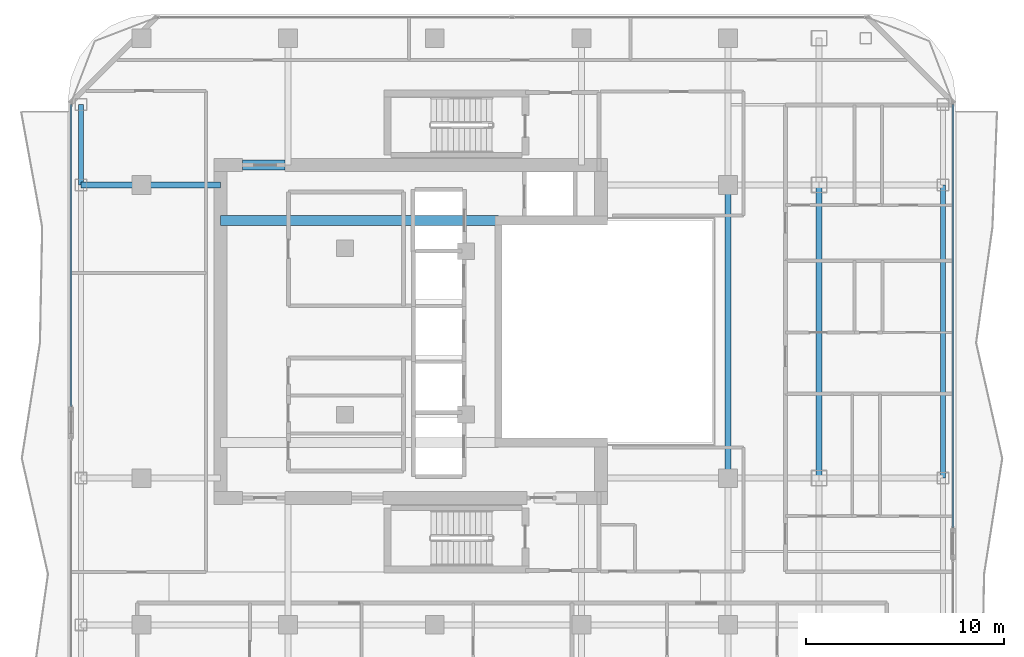
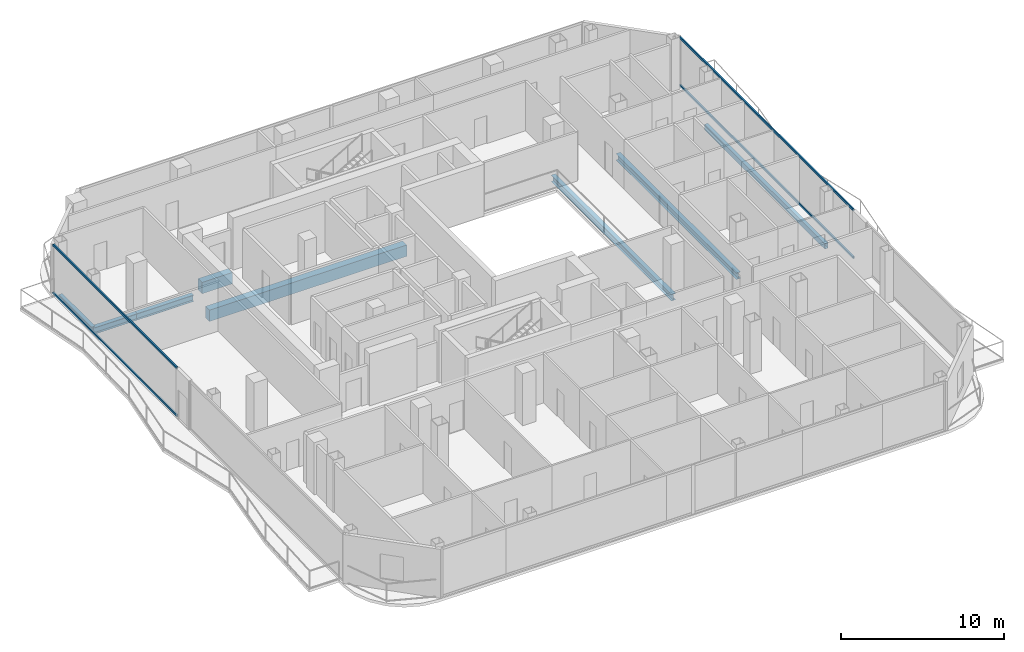
# One storey, part 12 of 27: 8 beams, 4 members, 2 elements without a shape of their own.
"""IFC4 building model written with IfcOpenShell, lengths in metres."""

from ifc_helpers import new_model, si_unit, direction, frame, origin, origin_2d, place, context, subcontext, project, spatial, rectangle, hollow_rectangle, i_section, extrude, material, layer, layer_set, material_profile, profile_set, type_object, element, aggregate, save


model = new_model("IFC4")

# Units and contexts
model_context = context("Model", 3, precision=1e-05, world=origin(), true_north=direction((0.0, 1.0)))
body_context = subcontext(model_context, "Body", "Model", "MODEL_VIEW")
ifc_project = project(units=[si_unit("LENGTHUNIT", "METRE"), si_unit("AREAUNIT", "SQUARE_METRE"), si_unit("VOLUMEUNIT", "CUBIC_METRE"), si_unit("PLANEANGLEUNIT", "RADIAN"), si_unit("MASSUNIT", "GRAM", prefix="KILO")], contexts=[model_context])

# Site, building, storey
site_placement = place(None, origin())
site = spatial("IfcSite", under=ifc_project, at=site_placement, CompositionType="ELEMENT")
building_placement = place(site_placement, origin())
building = spatial("IfcBuilding", under=site, at=building_placement, Name="Khorvyn Point Tower", CompositionType="ELEMENT")
storey_placement = place(building_placement, frame((0.0, 0.0, 243.0)))
storey = spatial("IfcBuildingStorey", under=building, at=storey_placement, Name="L59", CompositionType="ELEMENT", Elevation=243.0)

# Curtain wall, members
ifc_material_1 = material(Name="Anodised aluminium 6063-T6 and laminated Low-E glass", Category="aluminium")
ifc_layer = layer(ifc_material_1, 0.18994140625)
ifc_layer_set = layer_set([ifc_layer], Name="Stick-Built Acoustic Curtain Wall CW-SYS-03")
curtain_wall_type = type_object("IfcCurtainWallType", Name="Stick-Built Acoustic Curtain Wall CW-SYS-03", PredefinedType="NOTDEFINED", material=ifc_layer_set)
curtain_wall_1_placement = place(storey_placement, origin())
curtain_wall_1 = element("IfcCurtainWall", 1, at=curtain_wall_1_placement, inside=storey, type_object=curtain_wall_type, Name="Curtain Wall", PredefinedType="NOTDEFINED")
ifc_material_2 = material(Name="Anodised aluminium 6063-T6", Category="aluminium")
ifc_material_profile_1 = material_profile(ifc_material_2, hollow_rectangle(XDim=0.10009765625, YDim=0.159912109375, WallThickness=0.00439453125, at=origin_2d()))
ifc_profile_set_1 = profile_set([ifc_material_profile_1], Name="Anodised aluminium 6063-T6 ALU-TRN-100x160")
member_type = type_object("IfcMemberType", Name="Anodised Aluminium 6063-T6 Transom ALU-TRN-100x160", PredefinedType="USERDEFINED", material=ifc_profile_set_1)
member_1_placement = place(storey_placement, frame((-18.35009765625, -3.784912109375, 0.050048828125), z_axis=(0.0, 1.0, 0.0), x_axis=(-1.0, 0.0, 0.0)))
member_1 = element("IfcMember", 2, at=member_1_placement, type_object=member_type, Name="Transom", ObjectType="TRANSOM", PredefinedType="USERDEFINED", context=body_context, shape_type="SweptSolid", body=[
    extrude(hollow_rectangle(XDim=0.10009765625, YDim=0.159912109375, WallThickness=0.00439453125, at=origin_2d()), origin(), (0.0, 0.0, 1.0), 15.23486328125),
])
member_2_placement = place(storey_placement, frame((-18.35009765625, -3.784912109375, 3.6298828125), z_axis=(0.0, 1.0, 0.0), x_axis=(-1.0, 0.0, 0.0)))
member_2 = element("IfcMember", 3, at=member_2_placement, type_object=member_type, Name="Transom", ObjectType="TRANSOM", PredefinedType="USERDEFINED", context=body_context, shape_type="SweptSolid", body=[
    extrude(hollow_rectangle(XDim=0.10009765625, YDim=0.159912109375, WallThickness=0.00439453125, at=origin_2d()), origin(), (0.0, 0.0, 1.0), 15.23486328125),
])
aggregate(curtain_wall_1, [member_1, member_2])

curtain_wall_2_placement = place(storey_placement, origin())
curtain_wall_2 = element("IfcCurtainWall", 4, at=curtain_wall_2_placement, inside=storey, type_object=curtain_wall_type, Name="Curtain Wall", PredefinedType="NOTDEFINED")
member_3_placement = place(storey_placement, frame((26.14990234375, 11.449951171875, 0.050048828125), z_axis=(0.0, -1.0, 0.0), x_axis=(1.0, 0.0, 0.0)))
member_3 = element("IfcMember", 5, at=member_3_placement, type_object=member_type, Name="Transom", ObjectType="TRANSOM", PredefinedType="USERDEFINED", context=body_context, shape_type="SweptSolid", body=[
    extrude(hollow_rectangle(XDim=0.10009765625, YDim=0.159912109375, WallThickness=0.00439453125, at=origin_2d()), origin(), (0.0, 0.0, 1.0), 21.349853515625),
])
member_4_placement = place(storey_placement, frame((26.14990234375, 11.449951171875, 3.6298828125), z_axis=(0.0, -1.0, 0.0), x_axis=(1.0, 0.0, 0.0)))
member_4 = element("IfcMember", 6, at=member_4_placement, type_object=member_type, Name="Transom", ObjectType="TRANSOM", PredefinedType="USERDEFINED", context=body_context, shape_type="SweptSolid", body=[
    extrude(hollow_rectangle(XDim=0.10009765625, YDim=0.159912109375, WallThickness=0.00439453125, at=origin_2d()), origin(), (0.0, 0.0, 1.0), 21.349853515625),
])
aggregate(curtain_wall_2, [member_3, member_4])

# Beams
ifc_material_3 = material(Name="Concrete C45/55", Category="concrete")
ifc_material_profile_2 = material_profile(ifc_material_3, rectangle(XDim=0.5, YDim=0.85009765625, at=origin_2d()))
ifc_profile_set_2 = profile_set([ifc_material_profile_2], Name="Concrete C45/55 RC500x850")
beam_type_1 = type_object("IfcBeamType", Name="Concrete C45/55 Beam RC500x850", PredefinedType="BEAM", material=ifc_profile_set_2)
beam_1_placement = place(storey_placement, frame((-10.800048828125, 5.60009765625, -0.64501953125), z_axis=(1.0, 0.0, 0.0), x_axis=(0.0, 1.0, 0.0)))
element("IfcBeam", 7, at=beam_1_placement, inside=storey, type_object=beam_type_1, Name="L59 Core Internal Tie Girder N", PredefinedType="BEAM", context=body_context, shape_type="SweptSolid", body=[
    extrude(rectangle(XDim=0.5, YDim=0.85009765625, at=origin_2d()), origin(), (0.0, 0.0, 1.0), 14.02001953125),
])
beam_2_placement = place(storey_placement, frame((-9.699951171875, 8.39990234375, -0.64501953125), z_axis=(1.0, 0.0, 0.0), x_axis=(0.0, 1.0, 0.0)))
element("IfcBeam", 8, at=beam_2_placement, inside=storey, type_object=beam_type_1, Name="L59 Core Northwest Portal Coupling Beam", PredefinedType="BEAM", context=body_context, shape_type="SweptSolid", body=[
    extrude(rectangle(XDim=0.5, YDim=0.85009765625, at=origin_2d()), origin(), (0.0, 0.0, 1.0), 2.14990234375),
])
ifc_material_4 = material(Name="Steel S355", Category="steel")
ifc_material_profile_3 = material_profile(ifc_material_4, i_section(OverallWidth=0.300048828125, OverallDepth=0.488037109375, WebThickness=0.010986328125, FlangeThickness=0.01806640625, at=origin_2d()))
ifc_profile_set_3 = profile_set([ifc_material_profile_3], Name="Steel S355 H488x300x11x18")
beam_type_2 = type_object("IfcBeamType", Name="Steel S355 Spandrel H488x300x11x18", PredefinedType="SPANDREL", material=ifc_profile_set_3)
beam_3_placement = place(storey_placement, frame((-17.85009765625, 7.39990234375, -0.464111328125), z_axis=(1.0, 0.0, 0.0), x_axis=(0.0, 1.0, 0.0)))
element("IfcBeam", 9, at=beam_3_placement, inside=storey, type_object=beam_type_2, Name="Beam", PredefinedType="SPANDREL", context=body_context, shape_type="SweptSolid", body=[
    extrude(i_section(OverallWidth=0.300048828125, OverallDepth=0.488037109375, WebThickness=0.010986328125, FlangeThickness=0.01806640625, at=origin_2d()), origin(), (0.0, 0.0, 1.0), 3.050048828125),
])
beam_4_placement = place(storey_placement, frame((-14.800048828125, 7.39990234375, -0.464111328125), z_axis=(1.0, 0.0, 0.0), x_axis=(0.0, 1.0, 0.0)))
element("IfcBeam", 10, at=beam_4_placement, inside=storey, type_object=beam_type_2, Name="Beam", PredefinedType="SPANDREL", context=body_context, shape_type="SweptSolid", body=[
    extrude(i_section(OverallWidth=0.300048828125, OverallDepth=0.488037109375, WebThickness=0.010986328125, FlangeThickness=0.01806640625, at=origin_2d()), origin(), (0.0, 0.0, 1.0), 4.0),
])
for number, where, z_axis, x_axis, name in (
    (11, (14.800048828125, -7.39990234375, -0.464111328125), (0.0, 1.0, 0.0), (-1.0, 0.0, 0.0), "Beam"),
    (12, (19.39990234375, -7.39990234375, -0.464111328125), (0.0, 1.0, 0.0), (-1.0, 0.0, 0.0), "Beam"),
):
    element("IfcBeam", number, at=place(storey_placement, frame(where, z_axis=z_axis, x_axis=x_axis)), inside=storey, type_object=beam_type_2, Name=name, PredefinedType="SPANDREL", context=body_context, shape_type="SweptSolid", body=[
        extrude(i_section(OverallWidth=0.300048828125, OverallDepth=0.488037109375, WebThickness=0.010986328125, FlangeThickness=0.01806640625, at=origin_2d()), origin(), (0.0, 0.0, 1.0), 14.7998046875),
    ])
ifc_material_profile_4 = material_profile(ifc_material_4, hollow_rectangle(XDim=0.25, YDim=0.39990234375, WallThickness=0.01611328125, at=origin_2d()))
ifc_profile_set_4 = profile_set([ifc_material_profile_4], Name="Steel S355 RHS400x250x16")
beam_type_3 = type_object("IfcBeamType", Name="Steel S355 Spandrel RHS400x250x16", PredefinedType="SPANDREL", material=ifc_profile_set_4)
beam_5_placement = place(storey_placement, frame((-17.85009765625, 7.39990234375, -0.419921875), z_axis=(0.0, 1.0, 0.0), x_axis=(-1.0, 0.0, 0.0)))
element("IfcBeam", 13, at=beam_5_placement, inside=storey, type_object=beam_type_3, Name="Beam", PredefinedType="SPANDREL", context=body_context, shape_type="SweptSolid", body=[
    extrude(hollow_rectangle(XDim=0.25, YDim=0.39990234375, WallThickness=0.01611328125, at=origin_2d()), origin(), (0.0, 0.0, 1.0), 4.050048828125),
])
beam_6_placement = place(storey_placement, frame((25.64990234375, -7.39990234375, -0.419921875), z_axis=(0.0, 1.0, 0.0), x_axis=(-1.0, 0.0, 0.0)))
element("IfcBeam", 14, at=beam_6_placement, inside=storey, type_object=beam_type_3, Name="Beam", PredefinedType="SPANDREL", context=body_context, shape_type="SweptSolid", body=[
    extrude(hollow_rectangle(XDim=0.25, YDim=0.39990234375, WallThickness=0.01611328125, at=origin_2d()), origin(), (0.0, 0.0, 1.0), 14.7998046875),
])

save(model, "model.ifc")
